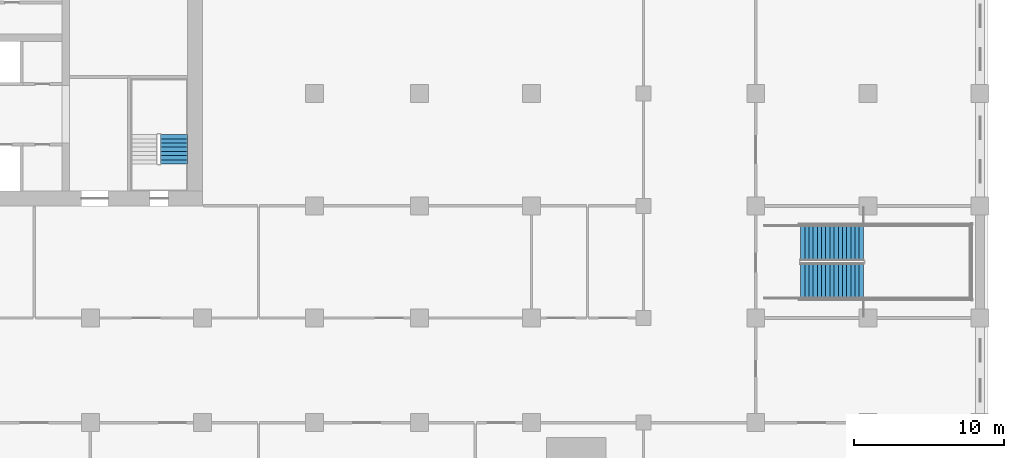
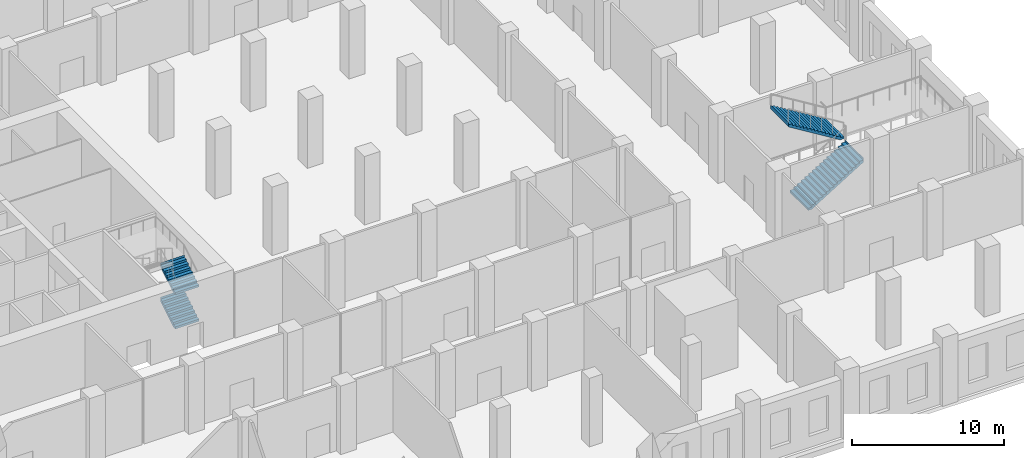
# One storey, part 19 of 35: 4 stair flights, 2 elements without a shape of their own.
"""IFC4 building model written with IfcOpenShell, lengths in metres."""

import ifcopenshell
import ifcopenshell.guid

model = None  # the IFC model being written
_history = None  # IfcOwnerHistory: only IFC2X3 demands one
_inside = {}  # id of a spatial element -> (the spatial element, [elements in it])
_under = {}  # id of a project, library or spatial element -> (it, [spatial elements below it])
_declared = {}  # id of a project -> (the project, [libraries it declares])
_typed = {}  # id of a type object -> (the type object, [elements of that type])
_made_of = {}  # id of a material, layer set ... -> (it, [elements and type objects made of it])


def new_model(schema):
    """Start an empty IFC model of exactly this schema.

    Asked for "IFC4X3", IfcOpenShell would pick the latest addendum, in which some entities
    have other attributes; the version numbers below select the first issue.
    IFC2X3 requires an IfcOwnerHistory on every rooted entity: one is made here for all.
    """
    global model, _history
    if schema == "IFC4X3":
        model = ifcopenshell.file(schema_version=(4, 3, 0, 0))
    else:
        model = ifcopenshell.file(schema=schema)
    _inside.clear()
    _under.clear()
    _declared.clear()
    _typed.clear()
    _made_of.clear()
    _history = None
    if model.schema == "IFC2X3":
        org = make("IfcOrganization", Name="unknown")
        user = make(
            "IfcPersonAndOrganization",
            ThePerson=make("IfcPerson", FamilyName="unknown"),
            TheOrganization=org,
        )
        app = make(
            "IfcApplication",
            ApplicationDeveloper=org,
            Version="unknown",
            ApplicationFullName="unknown",
            ApplicationIdentifier="unknown",
        )
        _history = make(
            "IfcOwnerHistory",
            OwningUser=user,
            OwningApplication=app,
            ChangeAction="ADDED",
            CreationDate=0,
        )
    return model


def make(cls, **values):
    """One entity of the class cls with the attributes given. An attribute that is None is left unset."""
    return model.create_entity(
        cls, **{name: value for name, value in values.items() if value is not None}
    )


def rooted(cls, **values):
    """An entity with a GlobalId (a new one), such as an element, a storey or a relation."""
    return make(cls, GlobalId=ifcopenshell.guid.new(), OwnerHistory=_history, **values)


def si_unit(unit_type, name, prefix=None):
    """IfcSIUnit, for example si_unit("LENGTHUNIT", "METRE", prefix="MILLI")."""
    return make("IfcSIUnit", UnitType=unit_type, Prefix=prefix, Name=name)


def assignment(units):
    """IfcUnitAssignment: the units of a project."""
    return None if units is None else make("IfcUnitAssignment", Units=units)


def point(xyz):
    """IfcCartesianPoint."""
    return None if xyz is None else make("IfcCartesianPoint", Coordinates=xyz)


def direction(xyz):
    """IfcDirection."""
    return None if xyz is None else make("IfcDirection", DirectionRatios=xyz)


def frame(location, z_axis=None, x_axis=None):
    """IfcAxis2Placement3D, a coordinate frame: its origin and axes. An axis left out is left unset."""
    return make(
        "IfcAxis2Placement3D",
        Location=point(location),
        Axis=direction(z_axis),
        RefDirection=direction(x_axis),
    )


def origin():
    """The frame at (0, 0, 0) with its axes left unset."""
    return frame((0.0, 0.0, 0.0))


def place(relative_to, where):
    """IfcLocalPlacement: puts the frame where relative to a parent placement (None: the world)."""
    return make(
        "IfcLocalPlacement", PlacementRelTo=relative_to, RelativePlacement=where
    )


def context(
    kind, dimensions, precision=None, world=None, true_north=None, identifier=None
):
    """IfcGeometricRepresentationContext, for example the 3D "Model" context."""
    return make(
        "IfcGeometricRepresentationContext",
        ContextIdentifier=identifier,
        ContextType=kind,
        CoordinateSpaceDimension=dimensions,
        Precision=precision,
        WorldCoordinateSystem=world,
        TrueNorth=true_north,
    )


def subcontext(parent, identifier, kind, view, scale=None):
    """IfcGeometricRepresentationSubContext, for example "Body" below "Model"."""
    return make(
        "IfcGeometricRepresentationSubContext",
        ContextIdentifier=identifier,
        ContextType=kind,
        ParentContext=parent,
        TargetScale=scale,
        TargetView=view,
    )


def project(units=None, contexts=None):
    """IfcProject with its units and contexts."""
    return rooted(
        "IfcProject",
        Name="project",
        RepresentationContexts=contexts,
        UnitsInContext=assignment(units),
    )


def spatial(cls, under=None, at=None, **own):
    """A site, building, storey or space (cls), placed at a placement, below another one or the project."""
    s = rooted(cls, ObjectPlacement=at, **own)
    if under is not None:
        _under.setdefault(under.id(), (under, []))[1].append(s)
    return s


def polyline(points):
    """IfcPolyline through the points."""
    return make("IfcPolyline", Points=[point(p) for p in points])


def outline(outer, holes=None, kind="AREA"):
    """IfcArbitraryClosedProfileDef: a profile drawn as a closed curve; with holes, ...WithVoids."""
    if holes is None:
        return make("IfcArbitraryClosedProfileDef", ProfileType=kind, OuterCurve=outer)
    return make(
        "IfcArbitraryProfileDefWithVoids",
        ProfileType=kind,
        OuterCurve=outer,
        InnerCurves=holes,
    )


def extrude(swept, where, along, depth):
    """IfcExtrudedAreaSolid: the profile swept, set in the frame where, extruded along a direction by depth."""
    return make(
        "IfcExtrudedAreaSolid",
        SweptArea=swept,
        Position=where,
        ExtrudedDirection=direction(along),
        Depth=depth,
    )


def shape(context_of_items, identifier, shape_type, items):
    """IfcShapeRepresentation: the items that make up one representation, for example the "Body"."""
    return make(
        "IfcShapeRepresentation",
        ContextOfItems=context_of_items,
        RepresentationIdentifier=identifier,
        RepresentationType=shape_type,
        Items=items,
    )


def material(Name=None, Category=None):
    """IfcMaterial."""
    return make("IfcMaterial", Name=Name, Category=Category)


def made_of(thing, what):
    """Note that an element or type object is made of a material, layer set ...; save() writes the relation."""
    if what is not None:
        _made_of.setdefault(what.id(), (what, []))[1].append(thing)
    return thing


def type_object(cls, material=None, **own):
    """A type object (cls), such as IfcWallType, which elements share."""
    return made_of(rooted(cls, **own), material)


def element(
    cls,
    number,
    at=None,
    inside=None,
    cuts=None,
    type_object=None,
    material=None,
    context=None,
    identifier="Body",
    shape_type=None,
    held_by="IfcProductDefinitionShape",
    body=None,
    shapes=None,
    **own,
):
    """One element of the class cls, such as IfcWall. Its Tag is "e" and its number.

    at: its placement. inside: the storey or other place that contains it. cuts: it is an
    opening in that element (IfcRelVoidsElement). A single representation is given by context,
    identifier, shape_type and body (its items); several are given by shapes. held_by: the class
    of the entity that holds the representations. save() writes the other relations.
    """
    e = rooted(cls, Tag="e%d" % number, ObjectPlacement=at, **own)
    if body is not None:
        shapes = [shape(context, identifier, shape_type, body)]
    if shapes is not None:
        e.Representation = make(held_by, Representations=shapes)
    if inside is not None:
        _inside.setdefault(inside.id(), (inside, []))[1].append(e)
    if cuts is not None:
        rooted(
            "IfcRelVoidsElement", RelatingBuildingElement=cuts, RelatedOpeningElement=e
        )
    if type_object is not None:
        _typed.setdefault(type_object.id(), (type_object, []))[1].append(e)
    return made_of(e, material)


def aggregate(whole, parts):
    """IfcRelAggregates: a whole, such as a stair, and the parts it consists of."""
    return rooted("IfcRelAggregates", RelatingObject=whole, RelatedObjects=parts)


def save(model, path):
    """Write the relations noted so far, then the file.

    IfcRelAggregates (storeys below a building ...), IfcRelContainedInSpatialStructure (elements
    in a storey), IfcRelDefinesByType, IfcRelAssociatesMaterial and IfcRelDeclares: one each for
    every whole, place, type object, material and project.
    """
    for whole, parts in _under.values():
        aggregate(whole, parts)
    for where, things in _inside.values():
        rooted(
            "IfcRelContainedInSpatialStructure",
            RelatedElements=things,
            RelatingStructure=where,
        )
    for kind, things in _typed.values():
        rooted("IfcRelDefinesByType", RelatedObjects=things, RelatingType=kind)
    for what, things in _made_of.values():
        rooted("IfcRelAssociatesMaterial", RelatedObjects=things, RelatingMaterial=what)
    for by, libraries in _declared.values():
        rooted("IfcRelDeclares", RelatingContext=by, RelatedDefinitions=libraries)
    model.write(path)


model = new_model("IFC4")

# Units and contexts
model_context = context("Model", 3, precision=1e-05, world=origin(), true_north=direction((0.0, 1.0)))
body_context = subcontext(model_context, "Body", "Model", "MODEL_VIEW")
ifc_project = project(units=[si_unit("LENGTHUNIT", "METRE"), si_unit("AREAUNIT", "SQUARE_METRE"), si_unit("VOLUMEUNIT", "CUBIC_METRE"), si_unit("PLANEANGLEUNIT", "RADIAN"), si_unit("MASSUNIT", "GRAM", prefix="KILO")], contexts=[model_context])

# Site, building, storey
site_placement = place(None, origin())
site = spatial("IfcSite", under=ifc_project, at=site_placement, CompositionType="ELEMENT")
building_placement = place(site_placement, origin())
building = spatial("IfcBuilding", under=site, at=building_placement, Name="Tamorin Gate", CompositionType="ELEMENT")
storey_placement = place(building_placement, frame((0.0, 0.0, 8.0)))
storey = spatial("IfcBuildingStorey", under=building, at=storey_placement, Name="L01", CompositionType="ELEMENT", Elevation=8.0)

# Stair, stair flights
ifc_material_1 = material(Name="Concrete C40/50", Category="concrete")
stair_type_1 = type_object("IfcStairType", Name="Exit stair", PredefinedType="HALF_TURN_STAIR", material=ifc_material_1)
stair_1_placement = place(storey_placement, origin())
stair_1 = element("IfcStair", 1, at=stair_1_placement, inside=storey, type_object=stair_type_1, Name="L01 stair ST3", PredefinedType="HALF_TURN_STAIR")
stair_flight_type_1 = type_object("IfcStairFlightType", Name="Exit stair flight", PredefinedType="STRAIGHT", material=ifc_material_1)
stair_flight_1_placement = place(storey_placement, frame((58.10009765625, 62.800048828125, 0.0), z_axis=(0.0, 0.0, 1.0), x_axis=(0.0, 1.0, 0.0)))
stair_flight_1 = element("IfcStairFlight", 2, at=stair_flight_1_placement, type_object=stair_flight_type_1, Name="ST3 flight 1", NumberOfRisers=8, NumberOfTreads=7, PredefinedType="STRAIGHT", RiserHeight=0.171875, TreadLength=0.28, context=body_context, shape_type="SweptSolid", body=[
    extrude(outline(polyline([(-0.00048828125, 0.0), (-0.00048828125, 0.001708984375), (-0.00048828125, 0.00341796875), (-0.00048828125, 0.005126953125), (-0.00048828125, 0.0068359375), (-0.00048828125, 0.008544921875), (-0.00048828125, 0.01025390625), (-0.00048828125, 0.011962890625), (-0.00048828125, 0.013671875), (-0.00048828125, 0.015380859375), (-0.00048828125, 0.01708984375), (-0.00048828125, 0.018798828125), (-0.00048828125, 0.0205078125), (-0.00048828125, 0.022216796875), (-0.00048828125, 0.02392578125), (-0.00048828125, 0.025634765625), (-0.00048828125, 0.02734375), (-0.00048828125, 0.02880859375), (-0.00048828125, 0.030517578125), (-0.00048828125, 0.0322265625), (-0.00048828125, 0.033935546875), (-0.00048828125, 0.03564453125), (-0.00048828125, 0.037353515625), (-0.00048828125, 0.0390625), (-0.00048828125, 0.040771484375), (-0.00048828125, 0.04248046875), (-0.00048828125, 0.044189453125), (-0.00048828125, 0.0458984375), (-0.00048828125, 0.047607421875), (-0.00048828125, 0.04931640625), (-0.00048828125, 0.051025390625), (-0.00048828125, 0.052734375), (-0.00048828125, 0.054443359375), (-0.00048828125, 0.05615234375), (-0.00048828125, 0.057861328125), (-0.00048828125, 0.0595703125), (-0.00048828125, 0.061279296875), (-0.00048828125, 0.06298828125), (-0.00048828125, 0.064697265625), (-0.00048828125, 0.06640625), (-0.00048828125, 0.068115234375), (-0.00048828125, 0.06982421875), (-0.00048828125, 0.071533203125), (-0.00048828125, 0.0732421875), (-0.00048828125, 0.074951171875), (-0.00048828125, 0.07666015625), (-0.00048828125, 0.078369140625), (-0.00048828125, 0.080078125), (-0.00048828125, 0.081787109375), (-0.00048828125, 0.08349609375), (-0.00048828125, 0.085205078125), (-0.00048828125, 0.086669921875), (-0.00048828125, 0.08837890625), (-0.00048828125, 0.090087890625), (-0.00048828125, 0.091796875), (-0.00048828125, 0.093505859375), (-0.00048828125, 0.09521484375), (-0.00048828125, 0.096923828125), (-0.00048828125, 0.0986328125), (-0.00048828125, 0.100341796875), (-0.00048828125, 0.10205078125), (-0.00048828125, 0.103759765625), (-0.00048828125, 0.10546875), (-0.00048828125, 0.107177734375), (-0.00048828125, 0.10888671875), (-0.00048828125, 0.110595703125), (-0.00048828125, 0.1123046875), (-0.00048828125, 0.114013671875), (-0.00048828125, 0.11572265625), (-0.00048828125, 0.117431640625), (-0.00048828125, 0.119140625), (-0.00048828125, 0.120849609375), (-0.00048828125, 0.12255859375), (-0.00048828125, 0.124267578125), (-0.00048828125, 0.1259765625), (-0.00048828125, 0.127685546875), (-0.00048828125, 0.12939453125), (-0.00048828125, 0.131103515625), (-0.00048828125, 0.1328125), (-0.00048828125, 0.134521484375), (-0.00048828125, 0.13623046875), (-0.00048828125, 0.137939453125), (-0.00048828125, 0.1396484375), (-0.00048828125, 0.141357421875), (-0.00048828125, 0.14306640625), (-0.00048828125, 0.14453125), (-0.00048828125, 0.146240234375), (-0.00048828125, 0.14794921875), (-0.00048828125, 0.149658203125), (-0.00048828125, 0.1513671875), (-0.00048828125, 0.153076171875), (-0.00048828125, 0.15478515625), (-0.00048828125, 0.156494140625), (-0.00048828125, 0.158203125), (-0.00048828125, 0.159912109375), (-0.00048828125, 0.16162109375), (-0.00048828125, 0.163330078125), (-0.00048828125, 0.1650390625), (-0.00048828125, 0.166748046875), (-0.00048828125, 0.16845703125), (-0.00048828125, 0.170166015625), (-0.00048828125, 0.171875), (0.280029296875, 0.171875), (0.280029296875, 0.34375), (0.56005859375, 0.34375), (0.56005859375, 0.515625), (0.840087890625, 0.515625), (0.840087890625, 0.6875), (1.1201171875, 0.6875), (1.1201171875, 0.859375), (1.39990234375, 0.859375), (1.39990234375, 1.03125), (1.679931640625, 1.03125), (1.679931640625, 1.203125), (1.9599609375, 1.203125), (1.9599609375, 1.375), (1.96044921875, 1.375), (1.96044921875, 1.37158203125), (1.96044921875, 1.3681640625), (1.96044921875, 1.36474609375), (1.96044921875, 1.361328125), (1.96044921875, 1.357666015625), (1.96044921875, 1.354248046875), (1.96044921875, 1.350830078125), (1.96044921875, 1.347412109375), (1.96044921875, 1.343994140625), (1.96044921875, 1.340576171875), (1.96044921875, 1.337158203125), (1.96044921875, 1.333740234375), (1.96044921875, 1.330322265625), (1.96044921875, 1.326904296875), (1.96044921875, 1.3232421875), (1.96044921875, 1.31982421875), (1.96044921875, 1.31640625), (1.96044921875, 1.31298828125), (1.96044921875, 1.3095703125), (1.96044921875, 1.30615234375), (1.96044921875, 1.302734375), (1.96044921875, 1.29931640625), (1.96044921875, 1.2958984375), (1.96044921875, 1.29248046875), (1.96044921875, 1.288818359375), (1.96044921875, 1.285400390625), (1.96044921875, 1.281982421875), (1.96044921875, 1.278564453125), (1.96044921875, 1.275146484375), (1.96044921875, 1.271728515625), (1.96044921875, 1.268310546875), (1.96044921875, 1.264892578125), (1.96044921875, 1.261474609375), (1.96044921875, 1.2578125), (1.96044921875, 1.25439453125), (1.96044921875, 1.2509765625), (1.96044921875, 1.24755859375), (1.96044921875, 1.244140625), (1.96044921875, 1.24072265625), (1.96044921875, 1.2373046875), (1.96044921875, 1.23388671875), (1.96044921875, 1.23046875), (1.96044921875, 1.22705078125), (1.96044921875, 1.223388671875), (1.96044921875, 1.219970703125), (1.96044921875, 1.216552734375), (1.96044921875, 1.213134765625), (1.96044921875, 1.209716796875), (1.96044921875, 1.206298828125), (1.96044921875, 1.202880859375), (1.96044921875, 1.199462890625), (1.96044921875, 1.196044921875), (1.96044921875, 1.192626953125), (1.96044921875, 1.18896484375), (1.96044921875, 1.185546875), (1.96044921875, 1.18212890625), (1.96044921875, 1.1787109375), (1.96044921875, 1.17529296875), (1.96044921875, 1.171875), (1.96044921875, 1.16845703125), (1.96044921875, 1.1650390625), (1.96044921875, 1.16162109375), (1.96044921875, 1.157958984375), (1.96044921875, 1.154541015625), (1.96044921875, 1.151123046875), (1.96044921875, 1.147705078125), (1.96044921875, 1.144287109375), (1.96044921875, 1.140869140625), (1.96044921875, 1.137451171875), (1.96044921875, 1.134033203125), (1.96044921875, 1.130615234375), (1.96044921875, 1.127197265625), (1.96044921875, 1.12353515625), (1.96044921875, 1.1201171875), (1.96044921875, 1.11669921875), (1.96044921875, 1.11328125), (1.96044921875, 1.10986328125), (1.96044921875, 1.1064453125), (1.96044921875, 1.10302734375), (1.96044921875, 1.099609375), (1.96044921875, 1.09619140625), (1.96044921875, 1.0927734375), (1.96044921875, 1.089111328125), (1.96044921875, 1.085693359375), (1.96044921875, 1.082275390625), (1.96044921875, 1.078857421875), (1.96044921875, 1.075439453125), (1.96044921875, 1.072021484375), (1.96044921875, 1.068603515625), (1.96044921875, 1.065185546875), (1.96044921875, 1.061767578125), (1.96044921875, 1.05810546875), (1.96044921875, 1.0546875), (1.96044921875, 1.05126953125), (1.96044921875, 1.0478515625), (1.96044921875, 1.04443359375), (1.96044921875, 1.041015625), (1.96044921875, 1.03759765625), (1.96044921875, 1.0341796875), (1.96044921875, 1.03076171875), (1.96044921875, 1.02734375), (1.9599609375, 1.02734375), (0.28662109375, 0.0), (-0.00048828125, 0.0)])), frame((0.0, 0.89990234375, 0.0), z_axis=(0.0, -1.0, 0.0), x_axis=(1.0, 0.0, 0.0)), (0.0, 0.0, 1.0), 1.800048828125),
])
stair_flight_2_placement = place(storey_placement, frame((58.10009765625, 62.800048828125, 2.75), z_axis=(0.0, 0.0, 1.0), x_axis=(0.0, 1.0, 0.0)))
stair_flight_2 = element("IfcStairFlight", 3, at=stair_flight_2_placement, type_object=stair_flight_type_1, Name="ST3 flight 3", NumberOfRisers=8, NumberOfTreads=7, PredefinedType="STRAIGHT", RiserHeight=0.171875, TreadLength=0.28, context=body_context, shape_type="SweptSolid", body=[
    extrude(outline(polyline([(-0.00048828125, 0.0), (-0.00048828125, 0.001708984375), (-0.00048828125, 0.00341796875), (-0.00048828125, 0.005126953125), (-0.00048828125, 0.0068359375), (-0.00048828125, 0.008544921875), (-0.00048828125, 0.01025390625), (-0.00048828125, 0.011962890625), (-0.00048828125, 0.013671875), (-0.00048828125, 0.015380859375), (-0.00048828125, 0.01708984375), (-0.00048828125, 0.018798828125), (-0.00048828125, 0.0205078125), (-0.00048828125, 0.022216796875), (-0.00048828125, 0.02392578125), (-0.00048828125, 0.025634765625), (-0.00048828125, 0.02734375), (-0.00048828125, 0.02880859375), (-0.00048828125, 0.030517578125), (-0.00048828125, 0.0322265625), (-0.00048828125, 0.033935546875), (-0.00048828125, 0.03564453125), (-0.00048828125, 0.037353515625), (-0.00048828125, 0.0390625), (-0.00048828125, 0.040771484375), (-0.00048828125, 0.04248046875), (-0.00048828125, 0.044189453125), (-0.00048828125, 0.0458984375), (-0.00048828125, 0.047607421875), (-0.00048828125, 0.04931640625), (-0.00048828125, 0.051025390625), (-0.00048828125, 0.052734375), (-0.00048828125, 0.054443359375), (-0.00048828125, 0.05615234375), (-0.00048828125, 0.057861328125), (-0.00048828125, 0.0595703125), (-0.00048828125, 0.061279296875), (-0.00048828125, 0.06298828125), (-0.00048828125, 0.064697265625), (-0.00048828125, 0.06640625), (-0.00048828125, 0.068115234375), (-0.00048828125, 0.06982421875), (-0.00048828125, 0.071533203125), (-0.00048828125, 0.0732421875), (-0.00048828125, 0.074951171875), (-0.00048828125, 0.07666015625), (-0.00048828125, 0.078369140625), (-0.00048828125, 0.080078125), (-0.00048828125, 0.081787109375), (-0.00048828125, 0.08349609375), (-0.00048828125, 0.085205078125), (-0.00048828125, 0.086669921875), (-0.00048828125, 0.08837890625), (-0.00048828125, 0.090087890625), (-0.00048828125, 0.091796875), (-0.00048828125, 0.093505859375), (-0.00048828125, 0.09521484375), (-0.00048828125, 0.096923828125), (-0.00048828125, 0.0986328125), (-0.00048828125, 0.100341796875), (-0.00048828125, 0.10205078125), (-0.00048828125, 0.103759765625), (-0.00048828125, 0.10546875), (-0.00048828125, 0.107177734375), (-0.00048828125, 0.10888671875), (-0.00048828125, 0.110595703125), (-0.00048828125, 0.1123046875), (-0.00048828125, 0.114013671875), (-0.00048828125, 0.11572265625), (-0.00048828125, 0.117431640625), (-0.00048828125, 0.119140625), (-0.00048828125, 0.120849609375), (-0.00048828125, 0.12255859375), (-0.00048828125, 0.124267578125), (-0.00048828125, 0.1259765625), (-0.00048828125, 0.127685546875), (-0.00048828125, 0.12939453125), (-0.00048828125, 0.131103515625), (-0.00048828125, 0.1328125), (-0.00048828125, 0.134521484375), (-0.00048828125, 0.13623046875), (-0.00048828125, 0.137939453125), (-0.00048828125, 0.1396484375), (-0.00048828125, 0.141357421875), (-0.00048828125, 0.14306640625), (-0.00048828125, 0.14453125), (-0.00048828125, 0.146240234375), (-0.00048828125, 0.14794921875), (-0.00048828125, 0.149658203125), (-0.00048828125, 0.1513671875), (-0.00048828125, 0.153076171875), (-0.00048828125, 0.15478515625), (-0.00048828125, 0.156494140625), (-0.00048828125, 0.158203125), (-0.00048828125, 0.159912109375), (-0.00048828125, 0.16162109375), (-0.00048828125, 0.163330078125), (-0.00048828125, 0.1650390625), (-0.00048828125, 0.166748046875), (-0.00048828125, 0.16845703125), (-0.00048828125, 0.170166015625), (-0.00048828125, 0.171875), (0.280029296875, 0.171875), (0.280029296875, 0.34375), (0.56005859375, 0.34375), (0.56005859375, 0.515625), (0.840087890625, 0.515625), (0.840087890625, 0.6875), (1.1201171875, 0.6875), (1.1201171875, 0.859375), (1.39990234375, 0.859375), (1.39990234375, 1.03125), (1.679931640625, 1.03125), (1.679931640625, 1.203125), (1.9599609375, 1.203125), (1.9599609375, 1.375), (1.96044921875, 1.375), (1.96044921875, 1.37158203125), (1.96044921875, 1.3681640625), (1.96044921875, 1.36474609375), (1.96044921875, 1.361328125), (1.96044921875, 1.357666015625), (1.96044921875, 1.354248046875), (1.96044921875, 1.350830078125), (1.96044921875, 1.347412109375), (1.96044921875, 1.343994140625), (1.96044921875, 1.340576171875), (1.96044921875, 1.337158203125), (1.96044921875, 1.333740234375), (1.96044921875, 1.330322265625), (1.96044921875, 1.326904296875), (1.96044921875, 1.3232421875), (1.96044921875, 1.31982421875), (1.96044921875, 1.31640625), (1.96044921875, 1.31298828125), (1.96044921875, 1.3095703125), (1.96044921875, 1.30615234375), (1.96044921875, 1.302734375), (1.96044921875, 1.29931640625), (1.96044921875, 1.2958984375), (1.96044921875, 1.29248046875), (1.96044921875, 1.288818359375), (1.96044921875, 1.285400390625), (1.96044921875, 1.281982421875), (1.96044921875, 1.278564453125), (1.96044921875, 1.275146484375), (1.96044921875, 1.271728515625), (1.96044921875, 1.268310546875), (1.96044921875, 1.264892578125), (1.96044921875, 1.261474609375), (1.96044921875, 1.2578125), (1.96044921875, 1.25439453125), (1.96044921875, 1.2509765625), (1.96044921875, 1.24755859375), (1.96044921875, 1.244140625), (1.96044921875, 1.24072265625), (1.96044921875, 1.2373046875), (1.96044921875, 1.23388671875), (1.96044921875, 1.23046875), (1.96044921875, 1.22705078125), (1.96044921875, 1.223388671875), (1.96044921875, 1.219970703125), (1.96044921875, 1.216552734375), (1.96044921875, 1.213134765625), (1.96044921875, 1.209716796875), (1.96044921875, 1.206298828125), (1.96044921875, 1.202880859375), (1.96044921875, 1.199462890625), (1.96044921875, 1.196044921875), (1.96044921875, 1.192626953125), (1.96044921875, 1.18896484375), (1.96044921875, 1.185546875), (1.96044921875, 1.18212890625), (1.96044921875, 1.1787109375), (1.96044921875, 1.17529296875), (1.96044921875, 1.171875), (1.96044921875, 1.16845703125), (1.96044921875, 1.1650390625), (1.96044921875, 1.16162109375), (1.96044921875, 1.157958984375), (1.96044921875, 1.154541015625), (1.96044921875, 1.151123046875), (1.96044921875, 1.147705078125), (1.96044921875, 1.144287109375), (1.96044921875, 1.140869140625), (1.96044921875, 1.137451171875), (1.96044921875, 1.134033203125), (1.96044921875, 1.130615234375), (1.96044921875, 1.127197265625), (1.96044921875, 1.12353515625), (1.96044921875, 1.1201171875), (1.96044921875, 1.11669921875), (1.96044921875, 1.11328125), (1.96044921875, 1.10986328125), (1.96044921875, 1.1064453125), (1.96044921875, 1.10302734375), (1.96044921875, 1.099609375), (1.96044921875, 1.09619140625), (1.96044921875, 1.0927734375), (1.96044921875, 1.089111328125), (1.96044921875, 1.085693359375), (1.96044921875, 1.082275390625), (1.96044921875, 1.078857421875), (1.96044921875, 1.075439453125), (1.96044921875, 1.072021484375), (1.96044921875, 1.068603515625), (1.96044921875, 1.065185546875), (1.96044921875, 1.061767578125), (1.96044921875, 1.05810546875), (1.96044921875, 1.0546875), (1.96044921875, 1.05126953125), (1.96044921875, 1.0478515625), (1.96044921875, 1.04443359375), (1.96044921875, 1.041015625), (1.96044921875, 1.03759765625), (1.96044921875, 1.0341796875), (1.96044921875, 1.03076171875), (1.96044921875, 1.02734375), (1.9599609375, 1.02734375), (0.28662109375, 0.0), (-0.00048828125, 0.0)])), frame((0.0, 0.89990234375, 0.0), z_axis=(0.0, -1.0, 0.0), x_axis=(1.0, 0.0, 0.0)), (0.0, 0.0, 1.0), 1.800048828125),
])
aggregate(stair_1, [stair_flight_1, stair_flight_2])

ifc_material_2 = material(Name="Reinforced concrete C32/40", Category="concrete")
stair_type_2 = type_object("IfcStairType", Name="Podium stair PS", PredefinedType="HALF_TURN_STAIR", material=ifc_material_2)
stair_2_placement = place(storey_placement, origin())
stair_2 = element("IfcStair", 4, at=stair_2_placement, inside=storey, type_object=stair_type_2, Name="L01 Podium stair PS3", PredefinedType="HALF_TURN_STAIR")
stair_flight_type_2 = type_object("IfcStairFlightType", Name="Stair flight 2400", PredefinedType="STRAIGHT", material=ifc_material_2)
stair_flight_3_placement = place(storey_placement, frame((100.0, 54.97509765625, 0.0), z_axis=(0.0, 0.0, 1.0), x_axis=(1.0, 0.0, 0.0)))
stair_flight_3 = element("IfcStairFlight", 5, at=stair_flight_3_placement, type_object=stair_flight_type_2, Name="PS3 flight 1", NumberOfRisers=16, NumberOfTreads=15, PredefinedType="STRAIGHT", RiserHeight=0.171875, TreadLength=0.28, context=body_context, shape_type="SweptSolid", body=[
    extrude(outline(polyline([(-0.00048828125, 0.0), (-0.00048828125, 0.001708984375), (-0.00048828125, 0.00341796875), (-0.00048828125, 0.005126953125), (-0.00048828125, 0.0068359375), (-0.00048828125, 0.008544921875), (-0.00048828125, 0.01025390625), (-0.00048828125, 0.011962890625), (-0.00048828125, 0.013671875), (-0.00048828125, 0.015380859375), (-0.00048828125, 0.01708984375), (-0.00048828125, 0.018798828125), (-0.00048828125, 0.0205078125), (-0.00048828125, 0.022216796875), (-0.00048828125, 0.02392578125), (-0.00048828125, 0.025634765625), (-0.00048828125, 0.02734375), (-0.00048828125, 0.02880859375), (-0.00048828125, 0.030517578125), (-0.00048828125, 0.0322265625), (-0.00048828125, 0.033935546875), (-0.00048828125, 0.03564453125), (-0.00048828125, 0.037353515625), (-0.00048828125, 0.0390625), (-0.00048828125, 0.040771484375), (-0.00048828125, 0.04248046875), (-0.00048828125, 0.044189453125), (-0.00048828125, 0.0458984375), (-0.00048828125, 0.047607421875), (-0.00048828125, 0.04931640625), (-0.00048828125, 0.051025390625), (-0.00048828125, 0.052734375), (-0.00048828125, 0.054443359375), (-0.00048828125, 0.05615234375), (-0.00048828125, 0.057861328125), (-0.00048828125, 0.0595703125), (-0.00048828125, 0.061279296875), (-0.00048828125, 0.06298828125), (-0.00048828125, 0.064697265625), (-0.00048828125, 0.06640625), (-0.00048828125, 0.068115234375), (-0.00048828125, 0.06982421875), (-0.00048828125, 0.071533203125), (-0.00048828125, 0.0732421875), (-0.00048828125, 0.074951171875), (-0.00048828125, 0.07666015625), (-0.00048828125, 0.078369140625), (-0.00048828125, 0.080078125), (-0.00048828125, 0.081787109375), (-0.00048828125, 0.08349609375), (-0.00048828125, 0.085205078125), (-0.00048828125, 0.086669921875), (-0.00048828125, 0.08837890625), (-0.00048828125, 0.090087890625), (-0.00048828125, 0.091796875), (-0.00048828125, 0.093505859375), (-0.00048828125, 0.09521484375), (-0.00048828125, 0.096923828125), (-0.00048828125, 0.0986328125), (-0.00048828125, 0.100341796875), (-0.00048828125, 0.10205078125), (-0.00048828125, 0.103759765625), (-0.00048828125, 0.10546875), (-0.00048828125, 0.107177734375), (-0.00048828125, 0.10888671875), (-0.00048828125, 0.110595703125), (-0.00048828125, 0.1123046875), (-0.00048828125, 0.114013671875), (-0.00048828125, 0.11572265625), (-0.00048828125, 0.117431640625), (-0.00048828125, 0.119140625), (-0.00048828125, 0.120849609375), (-0.00048828125, 0.12255859375), (-0.00048828125, 0.124267578125), (-0.00048828125, 0.1259765625), (-0.00048828125, 0.127685546875), (-0.00048828125, 0.12939453125), (-0.00048828125, 0.131103515625), (-0.00048828125, 0.1328125), (-0.00048828125, 0.134521484375), (-0.00048828125, 0.13623046875), (-0.00048828125, 0.137939453125), (-0.00048828125, 0.1396484375), (-0.00048828125, 0.141357421875), (-0.00048828125, 0.14306640625), (-0.00048828125, 0.14453125), (-0.00048828125, 0.146240234375), (-0.00048828125, 0.14794921875), (-0.00048828125, 0.149658203125), (-0.00048828125, 0.1513671875), (-0.00048828125, 0.153076171875), (-0.00048828125, 0.15478515625), (-0.00048828125, 0.156494140625), (-0.00048828125, 0.158203125), (-0.00048828125, 0.159912109375), (-0.00048828125, 0.16162109375), (-0.00048828125, 0.163330078125), (-0.00048828125, 0.1650390625), (-0.00048828125, 0.166748046875), (-0.00048828125, 0.16845703125), (-0.00048828125, 0.170166015625), (-0.00048828125, 0.171875), (0.280029296875, 0.171875), (0.280029296875, 0.34375), (0.56005859375, 0.34375), (0.56005859375, 0.515625), (0.840087890625, 0.515625), (0.840087890625, 0.6875), (1.1201171875, 0.6875), (1.1201171875, 0.859375), (1.39990234375, 0.859375), (1.39990234375, 1.03125), (1.679931640625, 1.03125), (1.679931640625, 1.203125), (1.9599609375, 1.203125), (1.9599609375, 1.375), (2.239990234375, 1.375), (2.239990234375, 1.546875), (2.52001953125, 1.546875), (2.52001953125, 1.71875), (2.800048828125, 1.71875), (2.800048828125, 1.890625), (3.080078125, 1.890625), (3.080078125, 2.0625), (3.360107421875, 2.0625), (3.360107421875, 2.234375), (3.639892578125, 2.234375), (3.639892578125, 2.40625), (3.919921875, 2.40625), (3.919921875, 2.578125), (4.199951171875, 2.578125), (4.199951171875, 2.75), (4.200439453125, 2.75), (4.200439453125, 2.74658203125), (4.200439453125, 2.7431640625), (4.200439453125, 2.73974609375), (4.200439453125, 2.736328125), (4.200439453125, 2.732666015625), (4.200439453125, 2.729248046875), (4.200439453125, 2.725830078125), (4.200439453125, 2.722412109375), (4.200439453125, 2.718994140625), (4.200439453125, 2.715576171875), (4.200439453125, 2.712158203125), (4.200439453125, 2.708740234375), (4.200439453125, 2.705322265625), (4.200439453125, 2.701904296875), (4.200439453125, 2.6982421875), (4.200439453125, 2.69482421875), (4.200439453125, 2.69140625), (4.200439453125, 2.68798828125), (4.200439453125, 2.6845703125), (4.200439453125, 2.68115234375), (4.200439453125, 2.677734375), (4.200439453125, 2.67431640625), (4.200439453125, 2.6708984375), (4.200439453125, 2.66748046875), (4.200439453125, 2.663818359375), (4.200439453125, 2.660400390625), (4.200439453125, 2.656982421875), (4.200439453125, 2.653564453125), (4.200439453125, 2.650146484375), (4.200439453125, 2.646728515625), (4.200439453125, 2.643310546875), (4.200439453125, 2.639892578125), (4.200439453125, 2.636474609375), (4.200439453125, 2.6328125), (4.200439453125, 2.62939453125), (4.200439453125, 2.6259765625), (4.200439453125, 2.62255859375), (4.200439453125, 2.619140625), (4.200439453125, 2.61572265625), (4.200439453125, 2.6123046875), (4.200439453125, 2.60888671875), (4.200439453125, 2.60546875), (4.200439453125, 2.60205078125), (4.200439453125, 2.598388671875), (4.200439453125, 2.594970703125), (4.200439453125, 2.591552734375), (4.200439453125, 2.588134765625), (4.200439453125, 2.584716796875), (4.200439453125, 2.581298828125), (4.200439453125, 2.577880859375), (4.200439453125, 2.574462890625), (4.200439453125, 2.571044921875), (4.200439453125, 2.567626953125), (4.200439453125, 2.56396484375), (4.200439453125, 2.560546875), (4.200439453125, 2.55712890625), (4.200439453125, 2.5537109375), (4.200439453125, 2.55029296875), (4.200439453125, 2.546875), (4.200439453125, 2.54345703125), (4.200439453125, 2.5400390625), (4.200439453125, 2.53662109375), (4.200439453125, 2.532958984375), (4.200439453125, 2.529541015625), (4.200439453125, 2.526123046875), (4.200439453125, 2.522705078125), (4.200439453125, 2.519287109375), (4.200439453125, 2.515869140625), (4.200439453125, 2.512451171875), (4.200439453125, 2.509033203125), (4.200439453125, 2.505615234375), (4.200439453125, 2.502197265625), (4.200439453125, 2.49853515625), (4.200439453125, 2.4951171875), (4.200439453125, 2.49169921875), (4.200439453125, 2.48828125), (4.200439453125, 2.48486328125), (4.200439453125, 2.4814453125), (4.200439453125, 2.47802734375), (4.200439453125, 2.474609375), (4.200439453125, 2.47119140625), (4.200439453125, 2.4677734375), (4.200439453125, 2.464111328125), (4.200439453125, 2.460693359375), (4.200439453125, 2.457275390625), (4.200439453125, 2.453857421875), (4.200439453125, 2.450439453125), (4.200439453125, 2.447021484375), (4.200439453125, 2.443603515625), (4.200439453125, 2.440185546875), (4.200439453125, 2.436767578125), (4.200439453125, 2.43310546875), (4.200439453125, 2.4296875), (4.200439453125, 2.42626953125), (4.200439453125, 2.4228515625), (4.200439453125, 2.41943359375), (4.200439453125, 2.416015625), (4.200439453125, 2.41259765625), (4.200439453125, 2.4091796875), (4.200439453125, 2.40576171875), (4.200439453125, 2.40234375), (4.199951171875, 2.40234375), (0.28662109375, 0.0), (-0.00048828125, 0.0)])), frame((0.0, 1.199951171875, 0.0), z_axis=(0.0, -1.0, 0.0), x_axis=(1.0, 0.0, 0.0)), (0.0, 0.0, 1.0), 2.39990234375),
])
stair_flight_4_placement = place(storey_placement, frame((104.199951171875, 57.52490234375, 2.75), z_axis=(0.0, 0.0, 1.0), x_axis=(-1.0, 0.0, 0.0)))
stair_flight_4 = element("IfcStairFlight", 6, at=stair_flight_4_placement, type_object=stair_flight_type_2, Name="PS3 flight 2", NumberOfRisers=16, NumberOfTreads=15, PredefinedType="STRAIGHT", RiserHeight=0.171875, TreadLength=0.28, context=body_context, shape_type="SweptSolid", body=[
    extrude(outline(polyline([(-0.00048828125, 0.0), (-0.00048828125, 0.001708984375), (-0.00048828125, 0.00341796875), (-0.00048828125, 0.005126953125), (-0.00048828125, 0.0068359375), (-0.00048828125, 0.008544921875), (-0.00048828125, 0.01025390625), (-0.00048828125, 0.011962890625), (-0.00048828125, 0.013671875), (-0.00048828125, 0.015380859375), (-0.00048828125, 0.01708984375), (-0.00048828125, 0.018798828125), (-0.00048828125, 0.0205078125), (-0.00048828125, 0.022216796875), (-0.00048828125, 0.02392578125), (-0.00048828125, 0.025634765625), (-0.00048828125, 0.02734375), (-0.00048828125, 0.02880859375), (-0.00048828125, 0.030517578125), (-0.00048828125, 0.0322265625), (-0.00048828125, 0.033935546875), (-0.00048828125, 0.03564453125), (-0.00048828125, 0.037353515625), (-0.00048828125, 0.0390625), (-0.00048828125, 0.040771484375), (-0.00048828125, 0.04248046875), (-0.00048828125, 0.044189453125), (-0.00048828125, 0.0458984375), (-0.00048828125, 0.047607421875), (-0.00048828125, 0.04931640625), (-0.00048828125, 0.051025390625), (-0.00048828125, 0.052734375), (-0.00048828125, 0.054443359375), (-0.00048828125, 0.05615234375), (-0.00048828125, 0.057861328125), (-0.00048828125, 0.0595703125), (-0.00048828125, 0.061279296875), (-0.00048828125, 0.06298828125), (-0.00048828125, 0.064697265625), (-0.00048828125, 0.06640625), (-0.00048828125, 0.068115234375), (-0.00048828125, 0.06982421875), (-0.00048828125, 0.071533203125), (-0.00048828125, 0.0732421875), (-0.00048828125, 0.074951171875), (-0.00048828125, 0.07666015625), (-0.00048828125, 0.078369140625), (-0.00048828125, 0.080078125), (-0.00048828125, 0.081787109375), (-0.00048828125, 0.08349609375), (-0.00048828125, 0.085205078125), (-0.00048828125, 0.086669921875), (-0.00048828125, 0.08837890625), (-0.00048828125, 0.090087890625), (-0.00048828125, 0.091796875), (-0.00048828125, 0.093505859375), (-0.00048828125, 0.09521484375), (-0.00048828125, 0.096923828125), (-0.00048828125, 0.0986328125), (-0.00048828125, 0.100341796875), (-0.00048828125, 0.10205078125), (-0.00048828125, 0.103759765625), (-0.00048828125, 0.10546875), (-0.00048828125, 0.107177734375), (-0.00048828125, 0.10888671875), (-0.00048828125, 0.110595703125), (-0.00048828125, 0.1123046875), (-0.00048828125, 0.114013671875), (-0.00048828125, 0.11572265625), (-0.00048828125, 0.117431640625), (-0.00048828125, 0.119140625), (-0.00048828125, 0.120849609375), (-0.00048828125, 0.12255859375), (-0.00048828125, 0.124267578125), (-0.00048828125, 0.1259765625), (-0.00048828125, 0.127685546875), (-0.00048828125, 0.12939453125), (-0.00048828125, 0.131103515625), (-0.00048828125, 0.1328125), (-0.00048828125, 0.134521484375), (-0.00048828125, 0.13623046875), (-0.00048828125, 0.137939453125), (-0.00048828125, 0.1396484375), (-0.00048828125, 0.141357421875), (-0.00048828125, 0.14306640625), (-0.00048828125, 0.14453125), (-0.00048828125, 0.146240234375), (-0.00048828125, 0.14794921875), (-0.00048828125, 0.149658203125), (-0.00048828125, 0.1513671875), (-0.00048828125, 0.153076171875), (-0.00048828125, 0.15478515625), (-0.00048828125, 0.156494140625), (-0.00048828125, 0.158203125), (-0.00048828125, 0.159912109375), (-0.00048828125, 0.16162109375), (-0.00048828125, 0.163330078125), (-0.00048828125, 0.1650390625), (-0.00048828125, 0.166748046875), (-0.00048828125, 0.16845703125), (-0.00048828125, 0.170166015625), (-0.00048828125, 0.171875), (0.280029296875, 0.171875), (0.280029296875, 0.34375), (0.56005859375, 0.34375), (0.56005859375, 0.515625), (0.840087890625, 0.515625), (0.840087890625, 0.6875), (1.1201171875, 0.6875), (1.1201171875, 0.859375), (1.39990234375, 0.859375), (1.39990234375, 1.03125), (1.679931640625, 1.03125), (1.679931640625, 1.203125), (1.9599609375, 1.203125), (1.9599609375, 1.375), (2.239990234375, 1.375), (2.239990234375, 1.546875), (2.52001953125, 1.546875), (2.52001953125, 1.71875), (2.800048828125, 1.71875), (2.800048828125, 1.890625), (3.080078125, 1.890625), (3.080078125, 2.0625), (3.360107421875, 2.0625), (3.360107421875, 2.234375), (3.639892578125, 2.234375), (3.639892578125, 2.40625), (3.919921875, 2.40625), (3.919921875, 2.578125), (4.199951171875, 2.578125), (4.199951171875, 2.75), (4.200439453125, 2.75), (4.200439453125, 2.74658203125), (4.200439453125, 2.7431640625), (4.200439453125, 2.73974609375), (4.200439453125, 2.736328125), (4.200439453125, 2.732666015625), (4.200439453125, 2.729248046875), (4.200439453125, 2.725830078125), (4.200439453125, 2.722412109375), (4.200439453125, 2.718994140625), (4.200439453125, 2.715576171875), (4.200439453125, 2.712158203125), (4.200439453125, 2.708740234375), (4.200439453125, 2.705322265625), (4.200439453125, 2.701904296875), (4.200439453125, 2.6982421875), (4.200439453125, 2.69482421875), (4.200439453125, 2.69140625), (4.200439453125, 2.68798828125), (4.200439453125, 2.6845703125), (4.200439453125, 2.68115234375), (4.200439453125, 2.677734375), (4.200439453125, 2.67431640625), (4.200439453125, 2.6708984375), (4.200439453125, 2.66748046875), (4.200439453125, 2.663818359375), (4.200439453125, 2.660400390625), (4.200439453125, 2.656982421875), (4.200439453125, 2.653564453125), (4.200439453125, 2.650146484375), (4.200439453125, 2.646728515625), (4.200439453125, 2.643310546875), (4.200439453125, 2.639892578125), (4.200439453125, 2.636474609375), (4.200439453125, 2.6328125), (4.200439453125, 2.62939453125), (4.200439453125, 2.6259765625), (4.200439453125, 2.62255859375), (4.200439453125, 2.619140625), (4.200439453125, 2.61572265625), (4.200439453125, 2.6123046875), (4.200439453125, 2.60888671875), (4.200439453125, 2.60546875), (4.200439453125, 2.60205078125), (4.200439453125, 2.598388671875), (4.200439453125, 2.594970703125), (4.200439453125, 2.591552734375), (4.200439453125, 2.588134765625), (4.200439453125, 2.584716796875), (4.200439453125, 2.581298828125), (4.200439453125, 2.577880859375), (4.200439453125, 2.574462890625), (4.200439453125, 2.571044921875), (4.200439453125, 2.567626953125), (4.200439453125, 2.56396484375), (4.200439453125, 2.560546875), (4.200439453125, 2.55712890625), (4.200439453125, 2.5537109375), (4.200439453125, 2.55029296875), (4.200439453125, 2.546875), (4.200439453125, 2.54345703125), (4.200439453125, 2.5400390625), (4.200439453125, 2.53662109375), (4.200439453125, 2.532958984375), (4.200439453125, 2.529541015625), (4.200439453125, 2.526123046875), (4.200439453125, 2.522705078125), (4.200439453125, 2.519287109375), (4.200439453125, 2.515869140625), (4.200439453125, 2.512451171875), (4.200439453125, 2.509033203125), (4.200439453125, 2.505615234375), (4.200439453125, 2.502197265625), (4.200439453125, 2.49853515625), (4.200439453125, 2.4951171875), (4.200439453125, 2.49169921875), (4.200439453125, 2.48828125), (4.200439453125, 2.48486328125), (4.200439453125, 2.4814453125), (4.200439453125, 2.47802734375), (4.200439453125, 2.474609375), (4.200439453125, 2.47119140625), (4.200439453125, 2.4677734375), (4.200439453125, 2.464111328125), (4.200439453125, 2.460693359375), (4.200439453125, 2.457275390625), (4.200439453125, 2.453857421875), (4.200439453125, 2.450439453125), (4.200439453125, 2.447021484375), (4.200439453125, 2.443603515625), (4.200439453125, 2.440185546875), (4.200439453125, 2.436767578125), (4.200439453125, 2.43310546875), (4.200439453125, 2.4296875), (4.200439453125, 2.42626953125), (4.200439453125, 2.4228515625), (4.200439453125, 2.41943359375), (4.200439453125, 2.416015625), (4.200439453125, 2.41259765625), (4.200439453125, 2.4091796875), (4.200439453125, 2.40576171875), (4.200439453125, 2.40234375), (4.199951171875, 2.40234375), (0.28662109375, 0.0), (-0.00048828125, 0.0)])), frame((0.0, 1.199951171875, 0.0), z_axis=(0.0, -1.0, 0.0), x_axis=(1.0, 0.0, 0.0)), (0.0, 0.0, 1.0), 2.39990234375),
])
aggregate(stair_2, [stair_flight_3, stair_flight_4])

save(model, "model.ifc")
